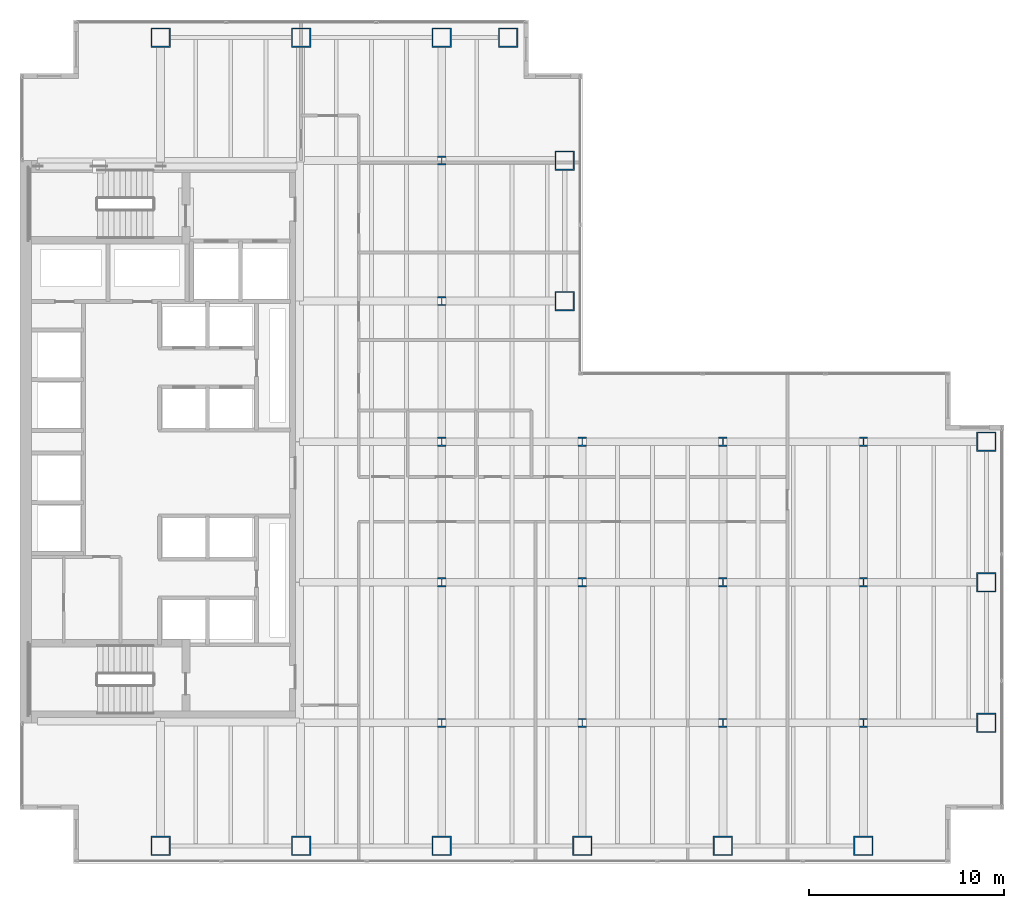
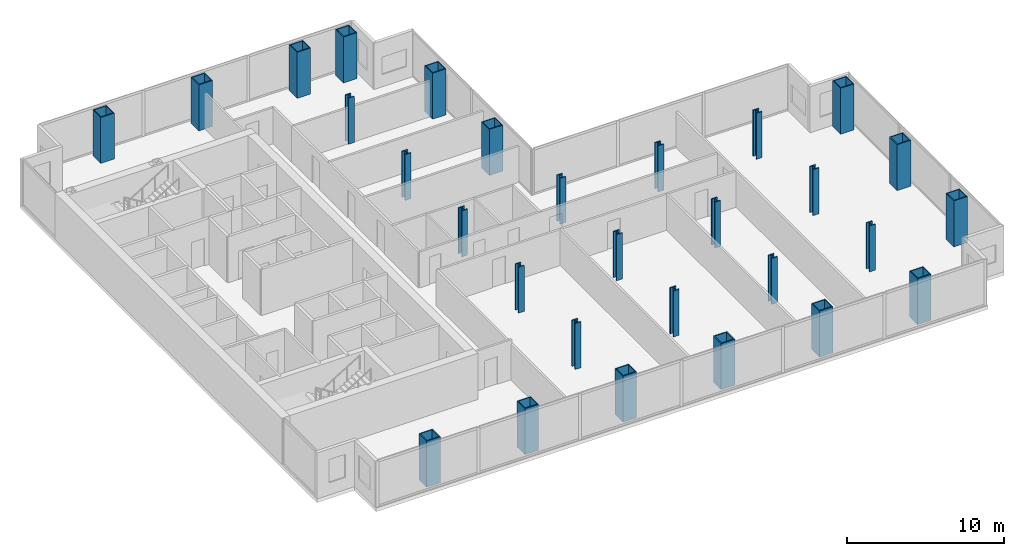
# One storey, part 1 of 23: 29 columns.
"""IFC4 building model written with IfcOpenShell, lengths in metres."""

from ifc_helpers import new_model, si_unit, direction, frame, origin, origin_2d, place, context, subcontext, project, spatial, hollow_rectangle, i_section, extrude, material, material_profile, profile_set, type_object, element, save


model = new_model("IFC4")

# Units and contexts
model_context = context("Model", 3, precision=1e-05, world=origin(), true_north=direction((0.0, 1.0)))
body_context = subcontext(model_context, "Body", "Model", "MODEL_VIEW")
ifc_project = project(units=[si_unit("LENGTHUNIT", "METRE"), si_unit("AREAUNIT", "SQUARE_METRE"), si_unit("VOLUMEUNIT", "CUBIC_METRE"), si_unit("PLANEANGLEUNIT", "RADIAN"), si_unit("MASSUNIT", "GRAM", prefix="KILO")], contexts=[model_context])

# Site, building, storey
site_placement = place(None, origin())
site = spatial("IfcSite", under=ifc_project, at=site_placement, CompositionType="ELEMENT")
building_placement = place(site_placement, origin())
building = spatial("IfcBuilding", under=site, at=building_placement, Name="Cobrela Telecom Tower", CompositionType="ELEMENT")
storey_placement = place(building_placement, frame((0.0, 0.0, 73.5)))
storey = spatial("IfcBuildingStorey", under=building, at=storey_placement, Name="L18", CompositionType="ELEMENT", Elevation=73.5)

# Columns
ifc_material_1 = material(Name="Steel ASTM A992 Grade 50", Category="steel")
ifc_material_profile_1 = material_profile(ifc_material_1, i_section(OverallWidth=0.422119140625, OverallDepth=0.465087890625, WebThickness=0.044921875, FlangeThickness=0.072509765625, FilletRadius=0.01806640625, at=origin_2d()), Name="W14X398")
ifc_profile_set_1 = profile_set([ifc_material_profile_1], Name="Steel ASTM A992 Grade 50")
column_type_1 = type_object("IfcColumnType", Name="COL-INT-04", PredefinedType="COLUMN", material=ifc_profile_set_1)
for number, where, z_axis, x_axis, name in (
    (1, (21.60009765625, 7.199951171875, 0.0), (0.0, 0.0, 1.0), (1.0, 0.0, 0.0), "L18 Interior Column 06"),
    (2, (21.60009765625, 14.39990234375, 0.0), (0.0, 0.0, 1.0), (1.0, 0.0, 0.0), "L18 Interior Column 07"),
    (3, (21.60009765625, 21.60009765625, 0.0), (0.0, 0.0, 1.0), (1.0, 0.0, 0.0), "L18 Interior Column 08"),
    (4, (21.60009765625, 28.800048828125, 0.0), (0.0, 0.0, 1.0), (1.0, 0.0, 0.0), "L18 Interior Column 09"),
    (5, (21.60009765625, 36.0, 0.0), (0.0, 0.0, 1.0), (1.0, 0.0, 0.0), "L18 Interior Column 10"),
    (6, (28.800048828125, 7.199951171875, 0.0), (0.0, 0.0, 1.0), (1.0, 0.0, 0.0), "L18 Interior Column 16"),
    (7, (28.800048828125, 14.39990234375, 0.0), (0.0, 0.0, 1.0), (1.0, 0.0, 0.0), "L18 Interior Column 17"),
    (8, (28.800048828125, 21.60009765625, 0.0), (0.0, 0.0, 1.0), (1.0, 0.0, 0.0), "L18 Interior Column 18"),
    (9, (36.0, 7.199951171875, 0.0), (0.0, 0.0, 1.0), (1.0, 0.0, 0.0), "L18 Interior Column 20"),
    (10, (36.0, 14.39990234375, 0.0), (0.0, 0.0, 1.0), (1.0, 0.0, 0.0), "L18 Interior Column 21"),
    (11, (36.0, 21.60009765625, 0.0), (0.0, 0.0, 1.0), (1.0, 0.0, 0.0), "L18 Interior Column 22"),
    (12, (43.199951171875, 7.199951171875, 0.0), (0.0, 0.0, 1.0), (1.0, 0.0, 0.0), "L18 Interior Column 24"),
    (13, (43.199951171875, 14.39990234375, 0.0), (0.0, 0.0, 1.0), (1.0, 0.0, 0.0), "L18 Interior Column 25"),
    (14, (43.199951171875, 21.60009765625, 0.0), (0.0, 0.0, 1.0), (1.0, 0.0, 0.0), "L18 Interior Column 26"),
):
    element("IfcColumn", number, at=place(storey_placement, frame(where, z_axis=z_axis, x_axis=x_axis)), inside=storey, type_object=column_type_1, Name=name, PredefinedType="COLUMN", context=body_context, shape_type="SweptSolid", body=[
        extrude(i_section(OverallWidth=0.422119140625, OverallDepth=0.465087890625, WebThickness=0.044921875, FlangeThickness=0.072509765625, FilletRadius=0.01806640625, at=origin_2d()), origin(), (0.0, 0.0, 1.0), 3.570068359375),
    ])
ifc_material_2 = material(Name="Steel ASTM A572 Grade 50", Category="steel")
ifc_material_profile_2 = material_profile(ifc_material_2, hollow_rectangle(XDim=1.0, YDim=1.0, WallThickness=0.06494140625, at=origin_2d()), Name="BOX 1000x1000x65")
ifc_profile_set_2 = profile_set([ifc_material_profile_2], Name="Steel ASTM A572 Grade 50")
column_type_2 = type_object("IfcColumnType", Name="COL-MEGA-03", PredefinedType="COLUMN", material=ifc_profile_set_2)
for number, where, z_axis, x_axis, name in (
    (15, (7.199951171875, 0.89990234375, 0.0), (0.0, 0.0, 1.0), (1.0, 0.0, 0.0), "L18 Perimeter Mega-Column 01"),
    (16, (7.199951171875, 42.300048828125, 0.0), (0.0, 0.0, 1.0), (1.0, 0.0, 0.0), "L18 Perimeter Mega-Column 02"),
    (17, (14.39990234375, 0.89990234375, 0.0), (0.0, 0.0, 1.0), (1.0, 0.0, 0.0), "L18 Perimeter Mega-Column 03"),
    (18, (14.39990234375, 42.300048828125, 0.0), (0.0, 0.0, 1.0), (1.0, 0.0, 0.0), "L18 Perimeter Mega-Column 04"),
    (19, (21.60009765625, 0.89990234375, 0.0), (0.0, 0.0, 1.0), (1.0, 0.0, 0.0), "L18 Perimeter Mega-Column 05"),
    (20, (21.60009765625, 42.300048828125, 0.0), (0.0, 0.0, 1.0), (1.0, 0.0, 0.0), "L18 Perimeter Mega-Column 11"),
    (21, (25.0, 42.300048828125, 0.0), (0.0, 0.0, 1.0), (1.0, 0.0, 0.0), "L18 Perimeter Mega-Column 12"),
    (22, (27.89990234375, 28.800048828125, 0.0), (0.0, 0.0, 1.0), (1.0, 0.0, 0.0), "L18 Perimeter Mega-Column 13"),
    (23, (27.89990234375, 36.0, 0.0), (0.0, 0.0, 1.0), (1.0, 0.0, 0.0), "L18 Perimeter Mega-Column 14"),
    (24, (28.800048828125, 0.89990234375, 0.0), (0.0, 0.0, 1.0), (1.0, 0.0, 0.0), "L18 Perimeter Mega-Column 15"),
    (25, (36.0, 0.89990234375, 0.0), (0.0, 0.0, 1.0), (1.0, 0.0, 0.0), "L18 Perimeter Mega-Column 19"),
    (26, (43.199951171875, 0.89990234375, 0.0), (0.0, 0.0, 1.0), (1.0, 0.0, 0.0), "L18 Perimeter Mega-Column 23"),
    (27, (49.5, 7.199951171875, 0.0), (0.0, 0.0, 1.0), (1.0, 0.0, 0.0), "L18 Perimeter Mega-Column 27"),
    (28, (49.5, 14.39990234375, 0.0), (0.0, 0.0, 1.0), (1.0, 0.0, 0.0), "L18 Perimeter Mega-Column 28"),
    (29, (49.5, 21.60009765625, 0.0), (0.0, 0.0, 1.0), (1.0, 0.0, 0.0), "L18 Perimeter Mega-Column 29"),
):
    element("IfcColumn", number, at=place(storey_placement, frame(where, z_axis=z_axis, x_axis=x_axis)), inside=storey, type_object=column_type_2, Name=name, PredefinedType="COLUMN", context=body_context, shape_type="SweptSolid", body=[
        extrude(hollow_rectangle(XDim=1.0, YDim=1.0, WallThickness=0.06494140625, at=origin_2d()), origin(), (0.0, 0.0, 1.0), 3.570068359375),
    ])

save(model, "model.ifc")
